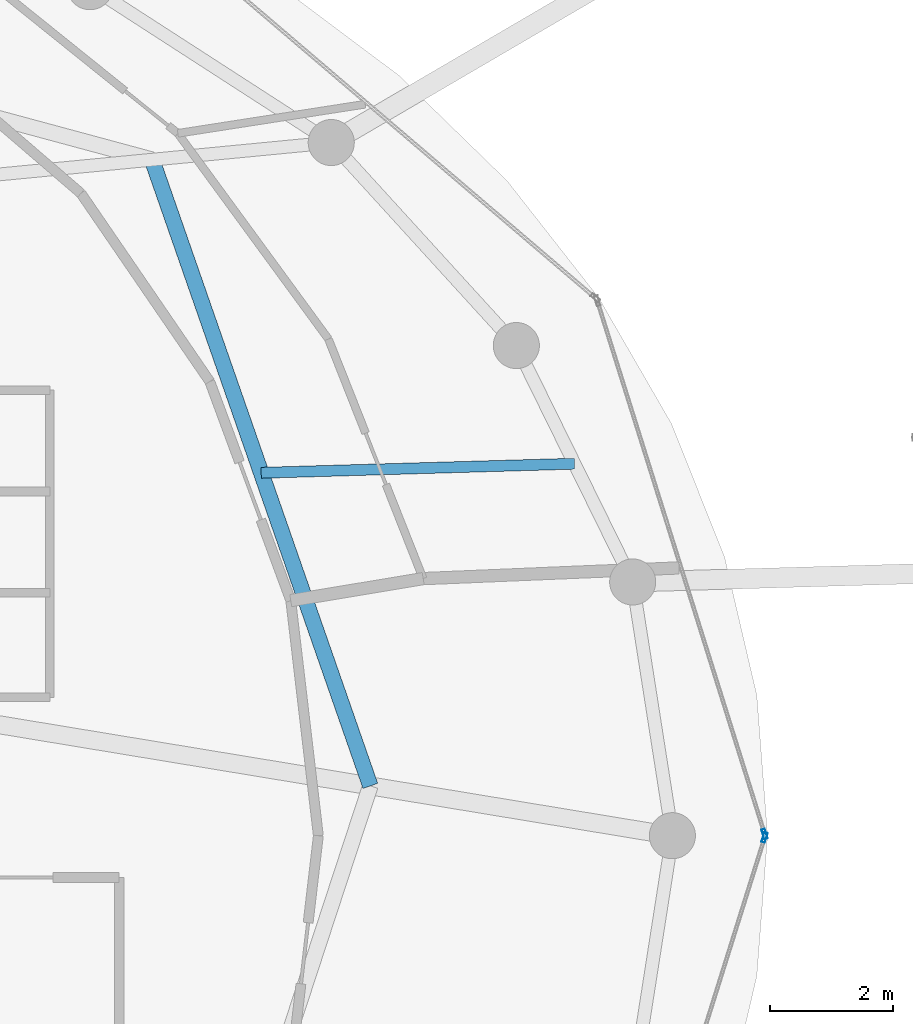
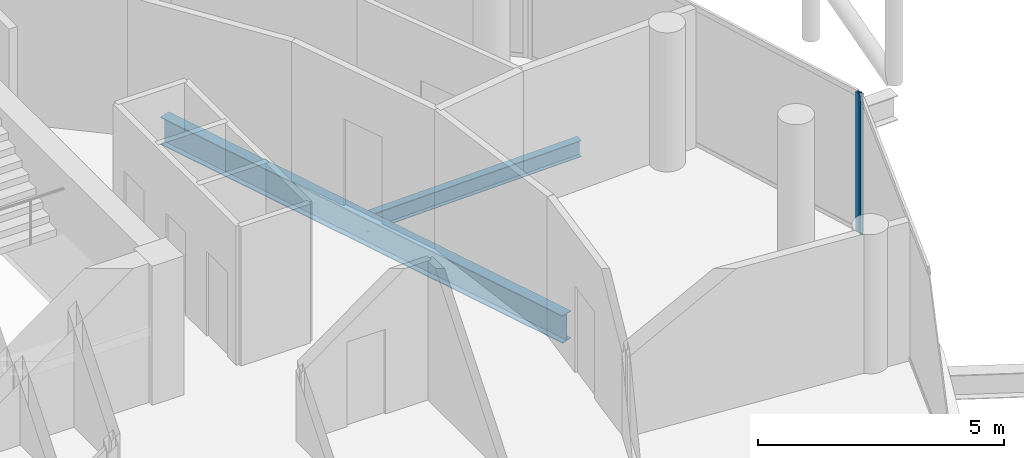
# One storey, part 12 of 24: 2 beams, 2 members, 2 elements without a shape of their own.
"""IFC4 building model written with IfcOpenShell, lengths in metres."""

import ifcopenshell
import ifcopenshell.guid

model = None  # the IFC model being written
_history = None  # IfcOwnerHistory: only IFC2X3 demands one
_inside = {}  # id of a spatial element -> (the spatial element, [elements in it])
_under = {}  # id of a project, library or spatial element -> (it, [spatial elements below it])
_declared = {}  # id of a project -> (the project, [libraries it declares])
_typed = {}  # id of a type object -> (the type object, [elements of that type])
_made_of = {}  # id of a material, layer set ... -> (it, [elements and type objects made of it])


def new_model(schema):
    """Start an empty IFC model of exactly this schema.

    Asked for "IFC4X3", IfcOpenShell would pick the latest addendum, in which some entities
    have other attributes; the version numbers below select the first issue.
    IFC2X3 requires an IfcOwnerHistory on every rooted entity: one is made here for all.
    """
    global model, _history
    if schema == "IFC4X3":
        model = ifcopenshell.file(schema_version=(4, 3, 0, 0))
    else:
        model = ifcopenshell.file(schema=schema)
    _inside.clear()
    _under.clear()
    _declared.clear()
    _typed.clear()
    _made_of.clear()
    _history = None
    if model.schema == "IFC2X3":
        org = make("IfcOrganization", Name="unknown")
        user = make(
            "IfcPersonAndOrganization",
            ThePerson=make("IfcPerson", FamilyName="unknown"),
            TheOrganization=org,
        )
        app = make(
            "IfcApplication",
            ApplicationDeveloper=org,
            Version="unknown",
            ApplicationFullName="unknown",
            ApplicationIdentifier="unknown",
        )
        _history = make(
            "IfcOwnerHistory",
            OwningUser=user,
            OwningApplication=app,
            ChangeAction="ADDED",
            CreationDate=0,
        )
    return model


def make(cls, **values):
    """One entity of the class cls with the attributes given. An attribute that is None is left unset."""
    return model.create_entity(
        cls, **{name: value for name, value in values.items() if value is not None}
    )


def rooted(cls, **values):
    """An entity with a GlobalId (a new one), such as an element, a storey or a relation."""
    return make(cls, GlobalId=ifcopenshell.guid.new(), OwnerHistory=_history, **values)


def si_unit(unit_type, name, prefix=None):
    """IfcSIUnit, for example si_unit("LENGTHUNIT", "METRE", prefix="MILLI")."""
    return make("IfcSIUnit", UnitType=unit_type, Prefix=prefix, Name=name)


def assignment(units):
    """IfcUnitAssignment: the units of a project."""
    return None if units is None else make("IfcUnitAssignment", Units=units)


def point(xyz):
    """IfcCartesianPoint."""
    return None if xyz is None else make("IfcCartesianPoint", Coordinates=xyz)


def direction(xyz):
    """IfcDirection."""
    return None if xyz is None else make("IfcDirection", DirectionRatios=xyz)


def frame(location, z_axis=None, x_axis=None):
    """IfcAxis2Placement3D, a coordinate frame: its origin and axes. An axis left out is left unset."""
    return make(
        "IfcAxis2Placement3D",
        Location=point(location),
        Axis=direction(z_axis),
        RefDirection=direction(x_axis),
    )


def frame_2d(location, x_axis=None):
    """IfcAxis2Placement2D, a coordinate frame in the plane: its origin and x axis."""
    return make(
        "IfcAxis2Placement2D", Location=point(location), RefDirection=direction(x_axis)
    )


def origin():
    """The frame at (0, 0, 0) with its axes left unset."""
    return frame((0.0, 0.0, 0.0))


def origin_2d():
    """The frame at (0, 0) in the plane with its x axis left unset."""
    return frame_2d((0.0, 0.0))


def place(relative_to, where):
    """IfcLocalPlacement: puts the frame where relative to a parent placement (None: the world)."""
    return make(
        "IfcLocalPlacement", PlacementRelTo=relative_to, RelativePlacement=where
    )


def context(
    kind, dimensions, precision=None, world=None, true_north=None, identifier=None
):
    """IfcGeometricRepresentationContext, for example the 3D "Model" context."""
    return make(
        "IfcGeometricRepresentationContext",
        ContextIdentifier=identifier,
        ContextType=kind,
        CoordinateSpaceDimension=dimensions,
        Precision=precision,
        WorldCoordinateSystem=world,
        TrueNorth=true_north,
    )


def subcontext(parent, identifier, kind, view, scale=None):
    """IfcGeometricRepresentationSubContext, for example "Body" below "Model"."""
    return make(
        "IfcGeometricRepresentationSubContext",
        ContextIdentifier=identifier,
        ContextType=kind,
        ParentContext=parent,
        TargetScale=scale,
        TargetView=view,
    )


def project(units=None, contexts=None):
    """IfcProject with its units and contexts."""
    return rooted(
        "IfcProject",
        Name="project",
        RepresentationContexts=contexts,
        UnitsInContext=assignment(units),
    )


def spatial(cls, under=None, at=None, **own):
    """A site, building, storey or space (cls), placed at a placement, below another one or the project."""
    s = rooted(cls, ObjectPlacement=at, **own)
    if under is not None:
        _under.setdefault(under.id(), (under, []))[1].append(s)
    return s


def profile(cls, at=None, kind="AREA", **sizes):
    """A parametric profile (cls). Its sizes go by their IFC names, for example OverallWidth=200.0."""
    return make(cls, ProfileType=kind, Position=at, **sizes)


def hollow_rectangle(**sizes):
    """IfcRectangleHollowProfileDef."""
    return profile("IfcRectangleHollowProfileDef", **sizes)


def i_section(**sizes):
    """IfcIShapeProfileDef."""
    return profile("IfcIShapeProfileDef", **sizes)


def extrude(swept, where, along, depth):
    """IfcExtrudedAreaSolid: the profile swept, set in the frame where, extruded along a direction by depth."""
    return make(
        "IfcExtrudedAreaSolid",
        SweptArea=swept,
        Position=where,
        ExtrudedDirection=direction(along),
        Depth=depth,
    )


def shape(context_of_items, identifier, shape_type, items):
    """IfcShapeRepresentation: the items that make up one representation, for example the "Body"."""
    return make(
        "IfcShapeRepresentation",
        ContextOfItems=context_of_items,
        RepresentationIdentifier=identifier,
        RepresentationType=shape_type,
        Items=items,
    )


def material(Name=None, Category=None):
    """IfcMaterial."""
    return make("IfcMaterial", Name=Name, Category=Category)


def layer(
    of_material, thickness, ventilated=None, Name=None, Category=None, Priority=None
):
    """IfcMaterialLayer: one layer of a wall or slab, of a material (None: an air gap)."""
    return make(
        "IfcMaterialLayer",
        Material=of_material,
        LayerThickness=thickness,
        IsVentilated=ventilated,
        Name=Name,
        Category=Category,
        Priority=Priority,
    )


def layer_set(layers, Name=None):
    """IfcMaterialLayerSet."""
    return make("IfcMaterialLayerSet", MaterialLayers=layers, LayerSetName=Name)


def material_profile(
    of_material, cross_section, Name=None, Category=None, Priority=None
):
    """IfcMaterialProfile: a cross section and its material."""
    return make(
        "IfcMaterialProfile",
        Name=Name,
        Material=of_material,
        Profile=cross_section,
        Priority=Priority,
        Category=Category,
    )


def profile_set(profiles, Name=None, composite=None):
    """IfcMaterialProfileSet."""
    return make(
        "IfcMaterialProfileSet",
        Name=Name,
        MaterialProfiles=profiles,
        CompositeProfile=composite,
    )


def made_of(thing, what):
    """Note that an element or type object is made of a material, layer set ...; save() writes the relation."""
    if what is not None:
        _made_of.setdefault(what.id(), (what, []))[1].append(thing)
    return thing


def type_object(cls, material=None, **own):
    """A type object (cls), such as IfcWallType, which elements share."""
    return made_of(rooted(cls, **own), material)


def element(
    cls,
    number,
    at=None,
    inside=None,
    cuts=None,
    type_object=None,
    material=None,
    context=None,
    identifier="Body",
    shape_type=None,
    held_by="IfcProductDefinitionShape",
    body=None,
    shapes=None,
    **own,
):
    """One element of the class cls, such as IfcWall. Its Tag is "e" and its number.

    at: its placement. inside: the storey or other place that contains it. cuts: it is an
    opening in that element (IfcRelVoidsElement). A single representation is given by context,
    identifier, shape_type and body (its items); several are given by shapes. held_by: the class
    of the entity that holds the representations. save() writes the other relations.
    """
    e = rooted(cls, Tag="e%d" % number, ObjectPlacement=at, **own)
    if body is not None:
        shapes = [shape(context, identifier, shape_type, body)]
    if shapes is not None:
        e.Representation = make(held_by, Representations=shapes)
    if inside is not None:
        _inside.setdefault(inside.id(), (inside, []))[1].append(e)
    if cuts is not None:
        rooted(
            "IfcRelVoidsElement", RelatingBuildingElement=cuts, RelatedOpeningElement=e
        )
    if type_object is not None:
        _typed.setdefault(type_object.id(), (type_object, []))[1].append(e)
    return made_of(e, material)


def aggregate(whole, parts):
    """IfcRelAggregates: a whole, such as a stair, and the parts it consists of."""
    return rooted("IfcRelAggregates", RelatingObject=whole, RelatedObjects=parts)


def save(model, path):
    """Write the relations noted so far, then the file.

    IfcRelAggregates (storeys below a building ...), IfcRelContainedInSpatialStructure (elements
    in a storey), IfcRelDefinesByType, IfcRelAssociatesMaterial and IfcRelDeclares: one each for
    every whole, place, type object, material and project.
    """
    for whole, parts in _under.values():
        aggregate(whole, parts)
    for where, things in _inside.values():
        rooted(
            "IfcRelContainedInSpatialStructure",
            RelatedElements=things,
            RelatingStructure=where,
        )
    for kind, things in _typed.values():
        rooted("IfcRelDefinesByType", RelatedObjects=things, RelatingType=kind)
    for what, things in _made_of.values():
        rooted("IfcRelAssociatesMaterial", RelatedObjects=things, RelatingMaterial=what)
    for by, libraries in _declared.values():
        rooted("IfcRelDeclares", RelatingContext=by, RelatedDefinitions=libraries)
    model.write(path)


model = new_model("IFC4")

# Units and contexts
model_context = context("Model", 3, precision=1e-05, world=origin(), true_north=direction((0.0, 1.0)))
body_context = subcontext(model_context, "Body", "Model", "MODEL_VIEW")
ifc_project = project(units=[si_unit("LENGTHUNIT", "METRE"), si_unit("AREAUNIT", "SQUARE_METRE"), si_unit("VOLUMEUNIT", "CUBIC_METRE"), si_unit("PLANEANGLEUNIT", "RADIAN"), si_unit("MASSUNIT", "GRAM", prefix="KILO")], contexts=[model_context])

# Site, building, storey
site_placement = place(None, origin())
site = spatial("IfcSite", under=ifc_project, at=site_placement, CompositionType="ELEMENT")
building_placement = place(site_placement, origin())
building = spatial("IfcBuilding", under=site, at=building_placement, Name="Nuhasar Tower", CompositionType="ELEMENT")
storey_placement = place(building_placement, frame((0.0, 0.0, 297.39990234375)))
storey = spatial("IfcBuildingStorey", under=building, at=storey_placement, Name="L74", CompositionType="ELEMENT", Elevation=297.39990234375)

# Beams
ifc_material_1 = material(Name="Steel S355", Category="steel")
ifc_material_profile_1 = material_profile(ifc_material_1, i_section(OverallWidth=0.25390625, OverallDepth=0.68408203125, WebThickness=0.012451171875, FlangeThickness=0.018798828125, at=origin_2d()), Name="W27X94")
ifc_profile_set_1 = profile_set([ifc_material_profile_1], Name="Steel S355")
beam_type_1 = type_object("IfcBeamType", Name="BM-INRING-W27X94", PredefinedType="BEAM", material=ifc_profile_set_1)
beam_1_placement = place(storey_placement, frame((53.035888671875, 27.610107421875, -0.601806640625), z_axis=(-0.329211236979, 0.944256300718, 0.0), x_axis=(-0.944256300718, -0.329211236979, 0.0)))
element("IfcBeam", 1, at=beam_1_placement, inside=storey, type_object=beam_type_1, Name="L74 Inner Header Beam 04", PredefinedType="BEAM", context=body_context, shape_type="SweptSolid", body=[
    extrude(i_section(OverallWidth=0.25390625, OverallDepth=0.68408203125, WebThickness=0.012451171875, FlangeThickness=0.018798828125, at=origin_2d()), origin(), (0.0, 0.0, 1.0), 10.78955078125),
])
ifc_material_profile_2 = material_profile(ifc_material_1, i_section(OverallWidth=0.177978515625, OverallDepth=0.406005859375, WebThickness=0.0078125, FlangeThickness=0.0126953125, at=origin_2d()), Name="W16X40")
ifc_profile_set_2 = profile_set([ifc_material_profile_2], Name="Steel S355")
beam_type_2 = type_object("IfcBeamType", Name="BM-JST-W16X40", PredefinedType="JOIST", material=ifc_profile_set_2)
beam_2_placement = place(storey_placement, frame((51.260009765625, 32.7041015625, -0.462890625), z_axis=(0.999579139243, 0.02900938453, 0.0), x_axis=(-0.02900938453, 0.999579139243, 0.0)))
element("IfcBeam", 2, at=beam_2_placement, inside=storey, type_object=beam_type_2, Name="L74 Secondary Floor Joist 04", PredefinedType="JOIST", context=body_context, shape_type="SweptSolid", body=[
    extrude(i_section(OverallWidth=0.177978515625, OverallDepth=0.406005859375, WebThickness=0.0078125, FlangeThickness=0.0126953125, at=origin_2d()), origin(), (0.0, 0.0, 1.0), 5.10009765625),
])

# Curtain wall, member
ifc_material_2 = material(Name="Aluminium 6063-T6", Category="aluminium")
ifc_layer = layer(ifc_material_2, 0.18994140625)
ifc_layer_set = layer_set([ifc_layer], Name="Aluminium 6063-T6")
curtain_wall_type = type_object("IfcCurtainWallType", Name="CW-Z4-PEN", PredefinedType="NOTDEFINED", material=ifc_layer_set)
curtain_wall_1_placement = place(storey_placement, origin())
curtain_wall_1 = element("IfcCurtainWall", 3, at=curtain_wall_1_placement, inside=storey, type_object=curtain_wall_type, Name="L74 Unitised Curtain Wall 01", PredefinedType="NOTDEFINED")
ifc_material_profile_3 = material_profile(ifc_material_2, hollow_rectangle(XDim=0.06005859375, YDim=0.1650390625, WallThickness=0.0048828125, at=origin_2d()), Name="CWM-5")
ifc_profile_set_3 = profile_set([ifc_material_profile_3], Name="Aluminium 6063-T6")
member_type = type_object("IfcMemberType", Name="CW-MUL-S5", PredefinedType="MULLION", material=ifc_profile_set_3)
member_1_placement = place(storey_placement, frame((59.450927734375, 26.82861328125, 0.0), z_axis=(0.0, 0.0, 1.0), x_axis=(-0.954078526601, -0.299556614146, 0.0)))
member_1 = element("IfcMember", 4, at=member_1_placement, type_object=member_type, Name="CW-Z4 mullion 1", PredefinedType="MULLION", context=body_context, shape_type="SweptSolid", body=[
    extrude(hollow_rectangle(XDim=0.06005859375, YDim=0.1650390625, WallThickness=0.0048828125, at=origin_2d()), origin(), (0.0, 0.0, 1.0), 3.4501953125),
])
aggregate(curtain_wall_1, [member_1])

curtain_wall_2_placement = place(storey_placement, origin())
curtain_wall_2 = element("IfcCurtainWall", 5, at=curtain_wall_2_placement, inside=storey, type_object=curtain_wall_type, Name="L74 Unitised Curtain Wall 12", PredefinedType="NOTDEFINED")
member_2_placement = place(storey_placement, frame((59.450927734375, 26.771484375, 0.0), z_axis=(0.0, 0.0, 1.0), x_axis=(-0.954078526601, 0.299556614146, 0.0)))
member_2 = element("IfcMember", 6, at=member_2_placement, type_object=member_type, Name="CW-Z4 mullion 2", PredefinedType="MULLION", context=body_context, shape_type="SweptSolid", body=[
    extrude(hollow_rectangle(XDim=0.06005859375, YDim=0.1650390625, WallThickness=0.0048828125, at=origin_2d()), origin(), (0.0, 0.0, 1.0), 3.4501953125),
])
aggregate(curtain_wall_2, [member_2])

save(model, "model.ifc")
